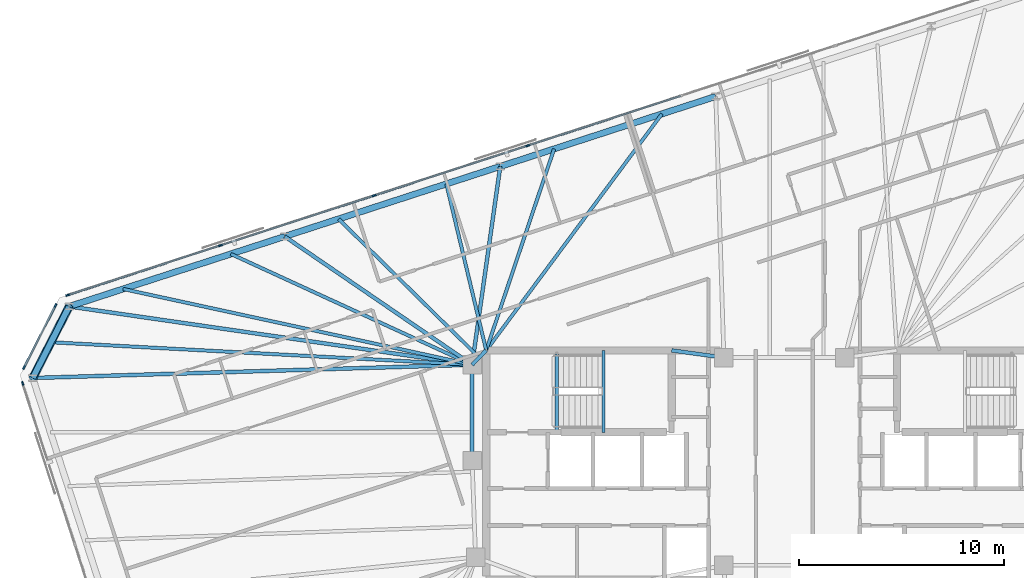
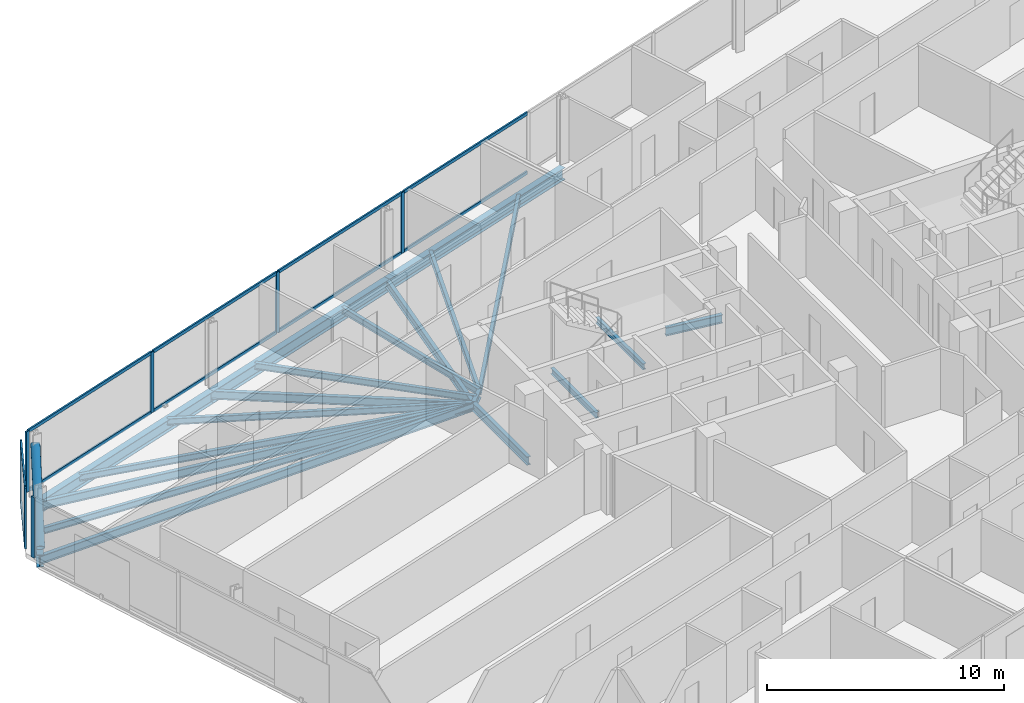
# One storey, part 9 of 20: 20 beams, 18 members, 3 elements without a shape of their own.
"""IFC4 building model written with IfcOpenShell, lengths in metres."""

from ifc_helpers import new_model, si_unit, direction, frame, origin, origin_2d, place, context, subcontext, project, spatial, rectangle, hollow_circle, i_section, extrude, material, material_profile, profile_set, type_object, element, aggregate, save


model = new_model("IFC4")

# Units and contexts
model_context = context("Model", 3, precision=1e-05, world=origin(), true_north=direction((0.0, 1.0)))
body_context = subcontext(model_context, "Body", "Model", "MODEL_VIEW")
ifc_project = project(units=[si_unit("LENGTHUNIT", "METRE"), si_unit("AREAUNIT", "SQUARE_METRE"), si_unit("VOLUMEUNIT", "CUBIC_METRE"), si_unit("PLANEANGLEUNIT", "RADIAN"), si_unit("MASSUNIT", "GRAM", prefix="KILO")], contexts=[model_context])

# Site, building, storey
site_placement = place(None, origin())
site = spatial("IfcSite", under=ifc_project, at=site_placement, CompositionType="ELEMENT")
building_placement = place(site_placement, origin())
building = spatial("IfcBuilding", under=site, at=building_placement, Name="Menara Jurai Vektor", CompositionType="ELEMENT")
storey_placement = place(building_placement, frame((0.0, 0.0, 247.75)))
storey = spatial("IfcBuildingStorey", under=building, at=storey_placement, Name="L66", CompositionType="ELEMENT", Elevation=247.75)

# Curtain wall, members
ifc_material_1 = material(Name="Anodised Pale Aluminium & Low-E Double Glazing", Category="aluminium")
curtain_wall_type = type_object("IfcCurtainWallType", Name="CW-BLK4", PredefinedType="NOTDEFINED", material=ifc_material_1)
curtain_wall_1_placement = place(storey_placement, origin())
curtain_wall_1 = element("IfcCurtainWall", 1, at=curtain_wall_1_placement, inside=storey, type_object=curtain_wall_type, Name="Unitised Curtain Wall L66 F05", PredefinedType="NOTDEFINED")
ifc_material_2 = material(Name="Anodised Pale Aluminium Mullion", Category="aluminium")
ifc_material_profile_1 = material_profile(ifc_material_2, rectangle(XDim=0.080078125, YDim=0.18994140625, at=origin_2d()), Name="ALU MUL 80x190")
ifc_profile_set_1 = profile_set([ifc_material_profile_1], Name="Anodised Pale Aluminium Mullion")
member_type_1 = type_object("IfcMemberType", Name="CW-BLK4-MUL", PredefinedType="MULLION", material=ifc_profile_set_1)
member_1_placement = place(storey_placement, frame((-12.532958984375, 15.601806640625, 0.0), z_axis=(0.0, 0.0, 1.0), x_axis=(0.309017344167, -0.951056402641, 0.0)))
member_1 = element("IfcMember", 2, at=member_1_placement, type_object=member_type_1, Name="CW-04 mullion 5", PredefinedType="MULLION", context=body_context, shape_type="SweptSolid", body=[
    extrude(rectangle(XDim=0.080078125, YDim=0.18994140625, at=origin_2d()), origin(), (0.0, 0.0, 1.0), 3.125),
])
member_2_placement = place(storey_placement, frame((-20.0380859375, 13.163330078125, 0.0), z_axis=(0.0, 0.0, 1.0), x_axis=(0.309017344167, -0.951056402641, 0.0)))
member_2 = element("IfcMember", 3, at=member_2_placement, type_object=member_type_1, Name="CW-04 mullion 6", PredefinedType="MULLION", context=body_context, shape_type="SweptSolid", body=[
    extrude(rectangle(XDim=0.080078125, YDim=0.18994140625, at=origin_2d()), origin(), (0.0, 0.0, 1.0), 3.125),
])
member_3_placement = place(storey_placement, frame((-27.543212890625, 10.724609375, 0.0), z_axis=(0.0, 0.0, 1.0), x_axis=(0.309017344167, -0.951056402641, 0.0)))
member_3 = element("IfcMember", 4, at=member_3_placement, type_object=member_type_1, Name="CW-04 mullion 7", PredefinedType="MULLION", context=body_context, shape_type="SweptSolid", body=[
    extrude(rectangle(XDim=0.080078125, YDim=0.18994140625, at=origin_2d()), origin(), (0.0, 0.0, 1.0), 3.125),
])
member_4_placement = place(storey_placement, frame((-35.010498046875, 8.29833984375, 0.0), z_axis=(0.0, 0.0, 1.0), x_axis=(0.309017344167, -0.951056402641, 0.0)))
member_4 = element("IfcMember", 5, at=member_4_placement, type_object=member_type_1, Name="CW-04 mullion 8", PredefinedType="MULLION", context=body_context, shape_type="SweptSolid", body=[
    extrude(rectangle(XDim=0.080078125, YDim=0.18994140625, at=origin_2d()), origin(), (0.0, 0.0, 1.0), 3.125),
])

curtain_wall_2_placement = place(storey_placement, origin())
curtain_wall_2 = element("IfcCurtainWall", 6, at=curtain_wall_2_placement, inside=storey, type_object=curtain_wall_type, Name="Unitised Curtain Wall L66 F06", PredefinedType="NOTDEFINED")
member_5_placement = place(storey_placement, frame((-35.6005859375, 7.79443359375, 0.0), z_axis=(0.0, 0.0, 1.0), x_axis=(0.89100750243, -0.453988579828, 0.0)))
member_5 = element("IfcMember", 7, at=member_5_placement, type_object=member_type_1, Name="CW-04 mullion 1", PredefinedType="MULLION", context=body_context, shape_type="SweptSolid", body=[
    extrude(rectangle(XDim=0.080078125, YDim=0.18994140625, at=origin_2d()), origin(), (0.0, 0.0, 1.0), 3.125),
])
member_6_placement = place(storey_placement, frame((-37.145263671875, 4.7626953125, 0.0), z_axis=(0.0, 0.0, 1.0), x_axis=(0.89100750243, -0.453988579828, 0.0)))
member_6 = element("IfcMember", 8, at=member_6_placement, type_object=member_type_1, Name="CW-04 mullion 2", PredefinedType="MULLION", context=body_context, shape_type="SweptSolid", body=[
    extrude(rectangle(XDim=0.080078125, YDim=0.18994140625, at=origin_2d()), origin(), (0.0, 0.0, 1.0), 3.125),
])

# Curtain wall, member
curtain_wall_3_placement = place(storey_placement, origin())
curtain_wall_3 = element("IfcCurtainWall", 9, at=curtain_wall_3_placement, inside=storey, type_object=curtain_wall_type, Name="Unitised Curtain Wall L66 F07", PredefinedType="NOTDEFINED")
member_7_placement = place(storey_placement, frame((-37.206298828125, 3.989013671875, 0.0), z_axis=(0.0, 0.0, 1.0), x_axis=(0.95105668295, 0.309016481464, 0.0)))
member_7 = element("IfcMember", 10, at=member_7_placement, type_object=member_type_1, Name="CW-04 mullion 1", PredefinedType="MULLION", context=body_context, shape_type="SweptSolid", body=[
    extrude(rectangle(XDim=0.080078125, YDim=0.18994140625, at=origin_2d()), origin(), (0.0, 0.0, 1.0), 3.125),
])
aggregate(curtain_wall_3, [member_7])

# Member
ifc_material_3 = material(Name="Anodised Pale Aluminium Transom", Category="aluminium")
ifc_material_profile_2 = material_profile(ifc_material_3, rectangle(XDim=0.080078125, YDim=0.1650390625, at=origin_2d()), Name="ALU TRN 80x165")
ifc_profile_set_2 = profile_set([ifc_material_profile_2], Name="Anodised Pale Aluminium Transom")
member_type_2 = type_object("IfcMemberType", Name="CW-BLK4-TRN", PredefinedType="USERDEFINED", material=ifc_profile_set_2)
member_8_placement = place(storey_placement, frame((-5.06591796875, 18.028076171875, 0.0400390625), z_axis=(-0.95105634578, -0.309017519167, 0.0), x_axis=(0.309017519167, -0.95105634578, 0.0)))
member_8 = element("IfcMember", 11, at=member_8_placement, type_object=member_type_2, Name="CW-04 transom 4.1", ObjectType="TRANSOM", PredefinedType="USERDEFINED", context=body_context, shape_type="SweptSolid", body=[
    extrude(rectangle(XDim=0.080078125, YDim=0.1650390625, at=origin_2d()), origin(), (0.0, 0.0, 1.0), 7.811279296875),
])

member_9_placement = place(storey_placement, frame((-5.06591796875, 18.028076171875, 3.0849609375), z_axis=(-0.95105634578, -0.309017519167, 0.0), x_axis=(0.309017519167, -0.95105634578, 0.0)))
member_9 = element("IfcMember", 12, at=member_9_placement, type_object=member_type_2, Name="CW-04 transom 4.2", ObjectType="TRANSOM", PredefinedType="USERDEFINED", context=body_context, shape_type="SweptSolid", body=[
    extrude(rectangle(XDim=0.080078125, YDim=0.1650390625, at=origin_2d()), origin(), (0.0, 0.0, 1.0), 7.811279296875),
])

member_10_placement = place(storey_placement, frame((-12.571044921875, 15.589599609375, 0.0400390625), z_axis=(-0.95104715984, -0.309045789099, 0.0), x_axis=(0.309045789099, -0.95104715984, 0.0)))
member_10 = element("IfcMember", 13, at=member_10_placement, type_object=member_type_2, Name="CW-04 transom 5.1", ObjectType="TRANSOM", PredefinedType="USERDEFINED", context=body_context, shape_type="SweptSolid", body=[
    extrude(rectangle(XDim=0.080078125, YDim=0.1650390625, at=origin_2d()), origin(), (0.0, 0.0, 1.0), 7.811279296875),
])

member_11_placement = place(storey_placement, frame((-12.571044921875, 15.589599609375, 3.0849609375), z_axis=(-0.95104715984, -0.309045789099, 0.0), x_axis=(0.309045789099, -0.95104715984, 0.0)))
member_11 = element("IfcMember", 14, at=member_11_placement, type_object=member_type_2, Name="CW-04 transom 5.2", ObjectType="TRANSOM", PredefinedType="USERDEFINED", context=body_context, shape_type="SweptSolid", body=[
    extrude(rectangle(XDim=0.080078125, YDim=0.1650390625, at=origin_2d()), origin(), (0.0, 0.0, 1.0), 7.811279296875),
])

member_12_placement = place(storey_placement, frame((-20.076171875, 13.15087890625, 0.0400390625), z_axis=(-0.951059330237, -0.309008333817, 0.0), x_axis=(0.309008333817, -0.951059330237, 0.0)))
member_12 = element("IfcMember", 15, at=member_12_placement, type_object=member_type_2, Name="CW-04 transom 6.1", ObjectType="TRANSOM", PredefinedType="USERDEFINED", context=body_context, shape_type="SweptSolid", body=[
    extrude(rectangle(XDim=0.080078125, YDim=0.1650390625, at=origin_2d()), origin(), (0.0, 0.0, 1.0), 7.8115234375),
])

member_13_placement = place(storey_placement, frame((-20.076171875, 13.15087890625, 3.0849609375), z_axis=(-0.951059330237, -0.309008333817, 0.0), x_axis=(0.309008333817, -0.951059330237, 0.0)))
member_13 = element("IfcMember", 16, at=member_13_placement, type_object=member_type_2, Name="CW-04 transom 6.2", ObjectType="TRANSOM", PredefinedType="USERDEFINED", context=body_context, shape_type="SweptSolid", body=[
    extrude(rectangle(XDim=0.080078125, YDim=0.1650390625, at=origin_2d()), origin(), (0.0, 0.0, 1.0), 7.8115234375),
])

member_14_placement = place(storey_placement, frame((-27.581298828125, 10.71240234375, 0.0400390625), z_axis=(-0.951052997543, -0.309027823771, 0.0), x_axis=(0.309027823771, -0.951052997543, 0.0)))
member_14 = element("IfcMember", 17, at=member_14_placement, type_object=member_type_2, Name="CW-04 transom 7.1", ObjectType="TRANSOM", PredefinedType="USERDEFINED", context=body_context, shape_type="SweptSolid", body=[
    extrude(rectangle(XDim=0.080078125, YDim=0.1650390625, at=origin_2d()), origin(), (0.0, 0.0, 1.0), 7.771484375),
])

member_15_placement = place(storey_placement, frame((-27.581298828125, 10.71240234375, 3.0849609375), z_axis=(-0.951052997543, -0.309027823771, 0.0), x_axis=(0.309027823771, -0.951052997543, 0.0)))
member_15 = element("IfcMember", 18, at=member_15_placement, type_object=member_type_2, Name="CW-04 transom 7.2", ObjectType="TRANSOM", PredefinedType="USERDEFINED", context=body_context, shape_type="SweptSolid", body=[
    extrude(rectangle(XDim=0.080078125, YDim=0.1650390625, at=origin_2d()), origin(), (0.0, 0.0, 1.0), 7.771484375),
])

aggregate(curtain_wall_1, [member_1, member_2, member_3, member_4, member_8, member_9, member_10, member_11, member_12, member_13, member_14, member_15])

member_16_placement = place(storey_placement, frame((-35.61865234375, 7.7587890625, 0.0400390625), z_axis=(-0.454019339544, -0.890991828986, 0.0), x_axis=(0.890991828986, -0.454019339544, 0.0)))
member_16 = element("IfcMember", 19, at=member_16_placement, type_object=member_type_2, Name="CW-04 transom 1.1", ObjectType="TRANSOM", PredefinedType="USERDEFINED", context=body_context, shape_type="SweptSolid", body=[
    extrude(rectangle(XDim=0.080078125, YDim=0.1650390625, at=origin_2d()), origin(), (0.0, 0.0, 1.0), 3.32275390625),
])

member_17_placement = place(storey_placement, frame((-35.61865234375, 7.7587890625, 3.0849609375), z_axis=(-0.454019339544, -0.890991828986, 0.0), x_axis=(0.890991828986, -0.454019339544, 0.0)))
member_17 = element("IfcMember", 20, at=member_17_placement, type_object=member_type_2, Name="CW-04 transom 1.2", ObjectType="TRANSOM", PredefinedType="USERDEFINED", context=body_context, shape_type="SweptSolid", body=[
    extrude(rectangle(XDim=0.080078125, YDim=0.1650390625, at=origin_2d()), origin(), (0.0, 0.0, 1.0), 3.32275390625),
])

aggregate(curtain_wall_2, [member_5, member_6, member_16, member_17])

# Beams
ifc_material_4 = material(Name="Steel S355", Category="steel")
ifc_material_profile_3 = material_profile(ifc_material_4, i_section(OverallWidth=0.18505859375, OverallDepth=0.429931640625, WebThickness=0.010986328125, FlangeThickness=0.01806640625, at=origin_2d()), Name="PG 430x185x76")
ifc_profile_set_3 = profile_set([ifc_material_profile_3], Name="Steel S355")
beam_type_1 = type_object("IfcBeamType", Name="STR-BM-430", PredefinedType="BEAM", material=ifc_profile_set_3)
beam_1_placement = place(storey_placement, frame((-15.25, 4.89990234375, -0.43994140625), z_axis=(0.701871936926, 0.712303154672, 0.0), x_axis=(-0.712303154672, 0.701871936926, 0.0)))
element("IfcBeam", 21, at=beam_1_placement, inside=storey, type_object=beam_type_1, Name="Core Ring Header Girder L66-CHW-N1", PredefinedType="BEAM", context=body_context, shape_type="SweptSolid", body=[
    extrude(i_section(OverallWidth=0.18505859375, OverallDepth=0.429931640625, WebThickness=0.010986328125, FlangeThickness=0.01806640625, at=origin_2d()), origin(), (0.0, 0.0, 1.0), 0.98291015625),
])
beam_2_placement = place(storey_placement, frame((-5.5, 5.60009765625, -0.43994140625), z_axis=(0.990706818608, -0.136014703483, 0.0), x_axis=(0.136014703483, 0.990706818608, 0.0)))
element("IfcBeam", 22, at=beam_2_placement, inside=storey, type_object=beam_type_1, Name="Core Ring Header Girder L66-CHW-N2", PredefinedType="BEAM", context=body_context, shape_type="SweptSolid", body=[
    extrude(i_section(OverallWidth=0.18505859375, OverallDepth=0.429931640625, WebThickness=0.010986328125, FlangeThickness=0.01806640625, at=origin_2d()), origin(), (0.0, 0.0, 1.0), 2.573974609375),
])
beam_3_placement = place(storey_placement, frame((-15.25, 0.219970703125, -0.43994140625), z_axis=(0.0, 1.0, 0.0), x_axis=(-1.0, 0.0, 0.0)))
element("IfcBeam", 23, at=beam_3_placement, inside=storey, type_object=beam_type_1, Name="Core Ring Header Girder L66-CHW-W1", PredefinedType="BEAM", context=body_context, shape_type="SweptSolid", body=[
    extrude(i_section(OverallWidth=0.18505859375, OverallDepth=0.429931640625, WebThickness=0.010986328125, FlangeThickness=0.01806640625, at=origin_2d()), origin(), (0.0, 0.0, 1.0), 4.679931640625),
])
beam_4_placement = place(storey_placement, frame((-13.875, 14.58740234375, -0.43994140625), z_axis=(-0.140527035582, -0.990076841599, 0.0), x_axis=(0.990076841599, -0.140527035582, 0.0)))
element("IfcBeam", 24, at=beam_4_placement, inside=storey, type_object=beam_type_1, Name="Radial Floor Girder L66-N4", PredefinedType="BEAM", context=body_context, shape_type="SweptSolid", body=[
    extrude(i_section(OverallWidth=0.18505859375, OverallDepth=0.429931640625, WebThickness=0.010986328125, FlangeThickness=0.01806640625, at=origin_2d()), origin(), (0.0, 0.0, 1.0), 9.78466796875),
])
beam_5_placement = place(storey_placement, frame((-24.404296875, 11.166259765625, -0.43994140625), z_axis=(0.825185786768, -0.564861414257, 0.0), x_axis=(0.564861414257, 0.825185786768, 0.0)))
element("IfcBeam", 25, at=beam_5_placement, inside=storey, type_object=beam_type_1, Name="Radial Floor Girder L66-N5", PredefinedType="BEAM", context=body_context, shape_type="SweptSolid", body=[
    extrude(i_section(OverallWidth=0.18505859375, OverallDepth=0.429931640625, WebThickness=0.010986328125, FlangeThickness=0.01806640625, at=origin_2d()), origin(), (0.0, 0.0, 1.0), 11.093505859375),
])
beam_6_placement = place(storey_placement, frame((-34.93359375, 7.7451171875, -0.43994140625), z_axis=(0.989713916117, -0.14306070126, 0.0), x_axis=(0.14306070126, 0.989713916117, 0.0)))
element("IfcBeam", 26, at=beam_6_placement, inside=storey, type_object=beam_type_1, Name="Radial Floor Girder L66-N6", PredefinedType="BEAM", context=body_context, shape_type="SweptSolid", body=[
    extrude(i_section(OverallWidth=0.18505859375, OverallDepth=0.429931640625, WebThickness=0.010986328125, FlangeThickness=0.01806640625, at=origin_2d()), origin(), (0.0, 0.0, 1.0), 19.88818359375),
])
beam_7_placement = place(storey_placement, frame((-36.71337890625, 4.251953125, -0.43994140625), z_axis=(0.999544635638, 0.030174846589, 0.0), x_axis=(-0.030174846589, 0.999544635638, 0.0)))
element("IfcBeam", 27, at=beam_7_placement, inside=storey, type_object=beam_type_1, Name="Radial Floor Girder L66-W1", PredefinedType="BEAM", context=body_context, shape_type="SweptSolid", body=[
    extrude(i_section(OverallWidth=0.18505859375, OverallDepth=0.429931640625, WebThickness=0.010986328125, FlangeThickness=0.01806640625, at=origin_2d()), origin(), (0.0, 0.0, 1.0), 21.47314453125),
])

# Member
ifc_material_5 = material(Name="Steel S460", Category="steel")
ifc_material_profile_4 = material_profile(ifc_material_5, hollow_circle(Radius=0.203125, WallThickness=0.01611328125, at=origin_2d()), Name="CHS 406.4x16")
ifc_profile_set_4 = profile_set([ifc_material_profile_4], Name="Steel S460")
member_type_3 = type_object("IfcMemberType", Name="STR-BR-406", PredefinedType="BRACE", material=ifc_profile_set_4)
member_18_placement = place(storey_placement, frame((-36.71337890625, 4.251953125, 0.14990234375), z_axis=(0.377225079071, 0.740375367811, 0.556368182465), x_axis=(-0.891013832566, 0.453976155955, 0.0)))
element("IfcMember", 28, at=member_18_placement, inside=storey, type_object=member_type_3, Name="Exoskeleton Corner Brace L66-3", PredefinedType="BRACE", context=body_context, shape_type="SweptSolid", body=[
    extrude(hollow_circle(Radius=0.203125, WallThickness=0.01611328125, at=origin_2d()), origin(), (0.0, 0.0, 1.0), 4.718017578125),
])

# Beams
ifc_material_profile_5 = material_profile(ifc_material_4, i_section(OverallWidth=0.1650390625, OverallDepth=0.330078125, WebThickness=0.009033203125, FlangeThickness=0.013916015625, at=origin_2d()), Name="PG 330x165x46")
ifc_profile_set_5 = profile_set([ifc_material_profile_5], Name="Steel S355")
beam_type_2 = type_object("IfcBeamType", Name="STR-JS-330", PredefinedType="JOIST", material=ifc_profile_set_5)
beam_8_placement = place(storey_placement, frame((-5.97802734375, 17.1533203125, -0.389892578125), z_axis=(-0.59630776033, -0.802755912448, 0.0), x_axis=(0.802755912448, -0.59630776033, 0.0)))
element("IfcBeam", 29, at=beam_8_placement, inside=storey, type_object=beam_type_2, Name="Radial Secondary Floor Joist L66-JS21", PredefinedType="JOIST", context=body_context, shape_type="SweptSolid", body=[
    extrude(i_section(OverallWidth=0.1650390625, OverallDepth=0.330078125, WebThickness=0.009033203125, FlangeThickness=0.013916015625, at=origin_2d()), origin(), (0.0, 0.0, 1.0), 14.391845703125),
])
beam_9_placement = place(storey_placement, frame((-11.24267578125, 15.44287109375, -0.389892578125), z_axis=(-0.319385076217, -0.94762501713, 0.0), x_axis=(0.94762501713, -0.319385076217, 0.0)))
element("IfcBeam", 30, at=beam_9_placement, inside=storey, type_object=beam_type_2, Name="Radial Secondary Floor Joist L66-JS22", PredefinedType="JOIST", context=body_context, shape_type="SweptSolid", body=[
    extrude(i_section(OverallWidth=0.1650390625, OverallDepth=0.330078125, WebThickness=0.009033203125, FlangeThickness=0.013916015625, at=origin_2d()), origin(), (0.0, 0.0, 1.0), 10.38671875),
])
beam_10_placement = place(storey_placement, frame((-16.50732421875, 13.732177734375, -0.389892578125), z_axis=(0.23287158907, -0.972507492518, 0.0), x_axis=(0.972507492518, 0.23287158907, 0.0)))
element("IfcBeam", 31, at=beam_10_placement, inside=storey, type_object=beam_type_2, Name="Radial Secondary Floor Joist L66-JS23", PredefinedType="JOIST", context=body_context, shape_type="SweptSolid", body=[
    extrude(i_section(OverallWidth=0.1650390625, OverallDepth=0.330078125, WebThickness=0.009033203125, FlangeThickness=0.013916015625, at=origin_2d()), origin(), (0.0, 0.0, 1.0), 8.362060546875),
])
beam_11_placement = place(storey_placement, frame((-21.77197265625, 12.021484375, -0.389892578125), z_axis=(0.7121893722, -0.701987391714, 0.0), x_axis=(0.701987391714, 0.7121893722, 0.0)))
element("IfcBeam", 32, at=beam_11_placement, inside=storey, type_object=beam_type_2, Name="Radial Secondary Floor Joist L66-JS24", PredefinedType="JOIST", context=body_context, shape_type="SweptSolid", body=[
    extrude(i_section(OverallWidth=0.1650390625, OverallDepth=0.330078125, WebThickness=0.009033203125, FlangeThickness=0.013916015625, at=origin_2d()), origin(), (0.0, 0.0, 1.0), 9.64404296875),
])
beam_12_placement = place(storey_placement, frame((-27.03662109375, 10.31103515625, -0.389892578125), z_axis=(0.908803804095, -0.417223735738, 0.0), x_axis=(0.417223735738, 0.908803804095, 0.0)))
element("IfcBeam", 33, at=beam_12_placement, inside=storey, type_object=beam_type_2, Name="Radial Secondary Floor Joist L66-JS25", PredefinedType="JOIST", context=body_context, shape_type="SweptSolid", body=[
    extrude(i_section(OverallWidth=0.1650390625, OverallDepth=0.330078125, WebThickness=0.009033203125, FlangeThickness=0.013916015625, at=origin_2d()), origin(), (0.0, 0.0, 1.0), 12.969482421875),
])
beam_13_placement = place(storey_placement, frame((-32.30126953125, 8.600341796875, -0.389892578125), z_axis=(0.977251946396, -0.212081666498, 0.0), x_axis=(0.212081666498, 0.977251946396, 0.0)))
element("IfcBeam", 34, at=beam_13_placement, inside=storey, type_object=beam_type_2, Name="Radial Secondary Floor Joist L66-JS26", PredefinedType="JOIST", context=body_context, shape_type="SweptSolid", body=[
    extrude(i_section(OverallWidth=0.1650390625, OverallDepth=0.330078125, WebThickness=0.009033203125, FlangeThickness=0.013916015625, at=origin_2d()), origin(), (0.0, 0.0, 1.0), 17.4482421875),
])
beam_14_placement = place(storey_placement, frame((-35.823486328125, 5.99853515625, -0.389892578125), z_axis=(0.998577239708, -0.053324444086, 0.0), x_axis=(0.053324444086, 0.998577239708, 0.0)))
element("IfcBeam", 35, at=beam_14_placement, inside=storey, type_object=beam_type_2, Name="Radial Secondary Floor Joist L66-JS27", PredefinedType="JOIST", context=body_context, shape_type="SweptSolid", body=[
    extrude(i_section(OverallWidth=0.1650390625, OverallDepth=0.330078125, WebThickness=0.009033203125, FlangeThickness=0.013916015625, at=origin_2d()), origin(), (0.0, 0.0, 1.0), 20.602783203125),
])
ifc_material_profile_6 = material_profile(ifc_material_4, i_section(OverallWidth=0.1650390625, OverallDepth=0.302978515625, WebThickness=0.006103515625, FlangeThickness=0.010009765625, FilletRadius=0.009033203125, at=origin_2d()), Name="UKB 305x165x40")
ifc_profile_set_6 = profile_set([ifc_material_profile_6], Name="Steel S355")
beam_type_3 = type_object("IfcBeamType", Name="STR-LN-305", PredefinedType="LINTEL", material=ifc_profile_set_6)
beam_15_placement = place(storey_placement, frame((-11.1201171875, 1.60009765625, -0.37646484375), z_axis=(0.0, 1.0, 0.0), x_axis=(-1.0, 0.0, 0.0)))
element("IfcBeam", 36, at=beam_15_placement, inside=storey, type_object=beam_type_3, Name="Stair Well Floor Trimmer ST1 L66", PredefinedType="LINTEL", context=body_context, shape_type="SweptSolid", body=[
    extrude(i_section(OverallWidth=0.1650390625, OverallDepth=0.302978515625, WebThickness=0.006103515625, FlangeThickness=0.010009765625, FilletRadius=0.009033203125, at=origin_2d()), origin(), (0.0, 0.0, 1.0), 3.81982421875),
])
beam_16_placement = place(storey_placement, frame((-8.830078125, 1.60009765625, 1.323486328125), z_axis=(0.0, 1.0, 0.0), x_axis=(-1.0, 0.0, 0.0)))
element("IfcBeam", 37, at=beam_16_placement, inside=storey, type_object=beam_type_3, Name="Stair Half-Landing Nosing Trimmer ST1-1 L66", PredefinedType="LINTEL", context=body_context, shape_type="SweptSolid", body=[
    extrude(i_section(OverallWidth=0.1650390625, OverallDepth=0.302978515625, WebThickness=0.006103515625, FlangeThickness=0.010009765625, FilletRadius=0.009033203125, at=origin_2d()), origin(), (0.0, 0.0, 1.0), 4.0),
])
ifc_material_profile_7 = material_profile(ifc_material_4, i_section(OverallWidth=0.306884765625, OverallDepth=0.6201171875, WebThickness=0.013916015625, FlangeThickness=0.02392578125, FilletRadius=0.01708984375, at=origin_2d()), Name="UKB 610x305x179")
ifc_profile_set_7 = profile_set([ifc_material_profile_7], Name="Steel S355")
beam_type_4 = type_object("IfcBeamType", Name="STR-SP-610", PredefinedType="SPANDREL", material=ifc_profile_set_7)
for number, where, z_axis, x_axis, name in (
    (38, (-3.345703125, 18.008544921875, -0.534912109375), (-0.951057401967, -0.309014268544, 0.0), (0.309014268544, -0.951057401967, 0.0), "Exoskeleton Spandrel Beam L66-13"),
    (39, (-13.875, 14.58740234375, -0.534912109375), (-0.951057401967, -0.309014268544, 0.0), (0.309014268544, -0.951057401967, 0.0), "Exoskeleton Spandrel Beam L66-14"),
    (40, (-24.404296875, 11.166259765625, -0.534912109375), (-0.951057401967, -0.309014268544, 0.0), (0.309014268544, -0.951057401967, 0.0), "Exoskeleton Spandrel Beam L66-15"),
):
    element("IfcBeam", number, at=place(storey_placement, frame(where, z_axis=z_axis, x_axis=x_axis)), inside=storey, type_object=beam_type_4, Name=name, PredefinedType="SPANDREL", context=body_context, shape_type="SweptSolid", body=[
        extrude(i_section(OverallWidth=0.306884765625, OverallDepth=0.6201171875, WebThickness=0.013916015625, FlangeThickness=0.02392578125, FilletRadius=0.01708984375, at=origin_2d()), origin(), (0.0, 0.0, 1.0), 11.071044921875),
    ])
beam_17_placement = place(storey_placement, frame((-34.93359375, 7.7451171875, -0.534912109375), z_axis=(-0.453976155955, -0.891013832566, 0.0), x_axis=(0.891013832566, -0.453976155955, 0.0)))
element("IfcBeam", 41, at=beam_17_placement, inside=storey, type_object=beam_type_4, Name="Exoskeleton Spandrel Beam L66-16", PredefinedType="SPANDREL", context=body_context, shape_type="SweptSolid", body=[
    extrude(i_section(OverallWidth=0.306884765625, OverallDepth=0.6201171875, WebThickness=0.013916015625, FlangeThickness=0.02392578125, FilletRadius=0.01708984375, at=origin_2d()), origin(), (0.0, 0.0, 1.0), 3.92041015625),
])

save(model, "model.ifc")
